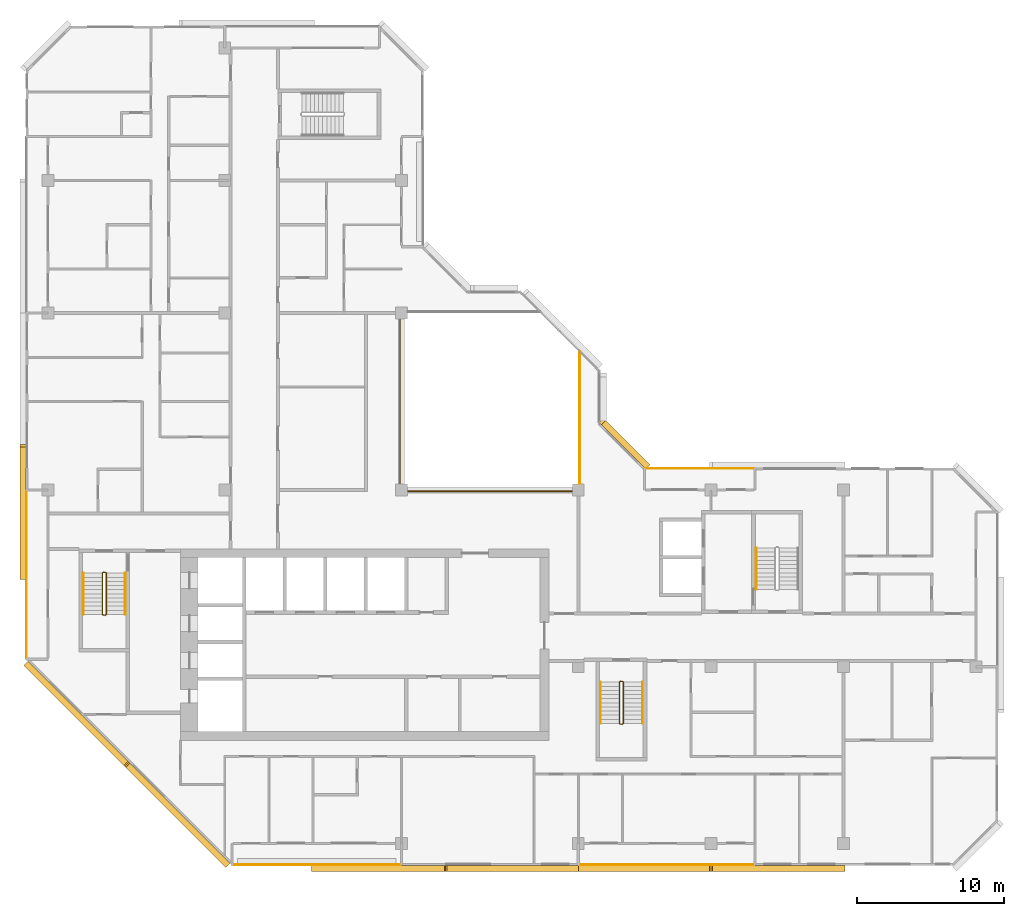
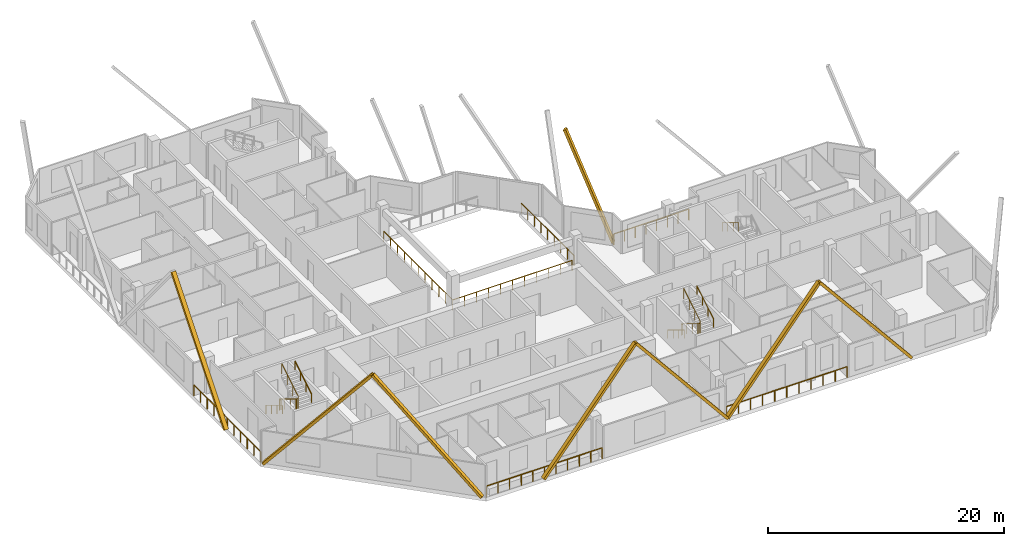
# One storey, part 12 of 13: 13 railings, 8 coverings.
"""IFC4 building model written with IfcOpenShell, lengths in metres."""

from ifc_helpers import new_model, si_unit, direction, frame, origin, origin_2d, place, context, subcontext, project, spatial, rectangle, extrude, material, material_profile, profile_set, type_object, element, save


model = new_model("IFC4")

# Units and contexts
model_context = context("Model", 3, precision=1e-05, world=origin(), true_north=direction((0.0, 1.0)))
body_context = subcontext(model_context, "Body", "Model", "MODEL_VIEW")
ifc_project = project(units=[si_unit("LENGTHUNIT", "METRE"), si_unit("AREAUNIT", "SQUARE_METRE"), si_unit("VOLUMEUNIT", "CUBIC_METRE"), si_unit("PLANEANGLEUNIT", "RADIAN"), si_unit("MASSUNIT", "GRAM", prefix="KILO")], contexts=[model_context])

# Site, building, storey
site_placement = place(None, origin())
site = spatial("IfcSite", under=ifc_project, at=site_placement, CompositionType="ELEMENT")
building_placement = place(site_placement, origin())
building = spatial("IfcBuilding", under=site, at=building_placement, Name="Chenar Terraces", CompositionType="ELEMENT")
storey_placement = place(building_placement, frame((0.0, 0.0, 310.89990234375)))
storey = spatial("IfcBuildingStorey", under=building, at=storey_placement, Name="L73", CompositionType="ELEMENT", Elevation=310.89990234375)

# Railings
ifc_material_1 = material(Name="Powder-coated steel", Category="steel")
railing_type_1 = type_object("IfcRailingType", Name="Guard 1100 steel rail with glass infill", PredefinedType="GUARDRAIL", material=ifc_material_1)
railing_1_placement = place(storey_placement, frame((23.89990234375, 35.60009765625, 0.0)))
element("IfcRailing", 1, at=railing_1_placement, inside=storey, type_object=railing_type_1, Name="Guard L73-1", PredefinedType="GUARDRAIL", context=body_context, shape_type="SweptSolid", body=[
    extrude(rectangle(XDim=0.06005859375, YDim=0.06005859375, at=origin_2d()), frame((0.0, 0.0, 1.070068359375), z_axis=(0.0, -1.0, 0.0), x_axis=(1.0, 0.0, 0.0)), (0.0, 0.0, 1.0), 11.7001953125),
    extrude(rectangle(XDim=0.06005859375, YDim=0.06005859375, at=origin_2d()), frame((0.0, -11.7001953125, 1.070068359375), z_axis=(1.0, 0.0, 0.0), x_axis=(0.0, 1.0, 0.0)), (0.0, 0.0, 1.0), 11.7001953125),
    extrude(rectangle(XDim=0.050048828125, YDim=0.050048828125, at=origin_2d()), origin(), (0.0, 0.0, 1.0), 1.0400390625),
    extrude(rectangle(XDim=0.050048828125, YDim=0.050048828125, at=origin_2d()), frame((0.0, -1.169921875, 0.0)), (0.0, 0.0, 1.0), 1.0400390625),
    extrude(rectangle(XDim=0.050048828125, YDim=0.050048828125, at=origin_2d()), frame((0.0, -2.340087890625, 0.0)), (0.0, 0.0, 1.0), 1.0400390625),
    extrude(rectangle(XDim=0.050048828125, YDim=0.050048828125, at=origin_2d()), frame((0.0, -3.510009765625, 0.0)), (0.0, 0.0, 1.0), 1.0400390625),
    extrude(rectangle(XDim=0.050048828125, YDim=0.050048828125, at=origin_2d()), frame((0.0, -4.68017578125, 0.0)), (0.0, 0.0, 1.0), 1.0400390625),
    extrude(rectangle(XDim=0.050048828125, YDim=0.050048828125, at=origin_2d()), frame((0.0, -5.85009765625, 0.0)), (0.0, 0.0, 1.0), 1.0400390625),
    extrude(rectangle(XDim=0.050048828125, YDim=0.050048828125, at=origin_2d()), frame((0.0, -7.02001953125, 0.0)), (0.0, 0.0, 1.0), 1.0400390625),
    extrude(rectangle(XDim=0.050048828125, YDim=0.050048828125, at=origin_2d()), frame((0.0, -8.190185546875, 0.0)), (0.0, 0.0, 1.0), 1.0400390625),
    extrude(rectangle(XDim=0.050048828125, YDim=0.050048828125, at=origin_2d()), frame((0.0, -9.360107421875, 0.0)), (0.0, 0.0, 1.0), 1.0400390625),
    extrude(rectangle(XDim=0.050048828125, YDim=0.050048828125, at=origin_2d()), frame((0.0, -10.5302734375, 0.0)), (0.0, 0.0, 1.0), 1.0400390625),
    extrude(rectangle(XDim=0.050048828125, YDim=0.050048828125, at=origin_2d()), frame((0.0, -11.7001953125, 0.0)), (0.0, 0.0, 1.0), 1.0400390625),
    extrude(rectangle(XDim=0.050048828125, YDim=0.050048828125, at=origin_2d()), frame((1.169921875, -11.7001953125, 0.0)), (0.0, 0.0, 1.0), 1.0400390625),
    extrude(rectangle(XDim=0.050048828125, YDim=0.050048828125, at=origin_2d()), frame((2.340087890625, -11.7001953125, 0.0)), (0.0, 0.0, 1.0), 1.0400390625),
    extrude(rectangle(XDim=0.050048828125, YDim=0.050048828125, at=origin_2d()), frame((3.510009765625, -11.7001953125, 0.0)), (0.0, 0.0, 1.0), 1.0400390625),
    extrude(rectangle(XDim=0.050048828125, YDim=0.050048828125, at=origin_2d()), frame((4.68017578125, -11.7001953125, 0.0)), (0.0, 0.0, 1.0), 1.0400390625),
    extrude(rectangle(XDim=0.050048828125, YDim=0.050048828125, at=origin_2d()), frame((5.85009765625, -11.7001953125, 0.0)), (0.0, 0.0, 1.0), 1.0400390625),
    extrude(rectangle(XDim=0.050048828125, YDim=0.050048828125, at=origin_2d()), frame((7.02001953125, -11.7001953125, 0.0)), (0.0, 0.0, 1.0), 1.0400390625),
    extrude(rectangle(XDim=0.050048828125, YDim=0.050048828125, at=origin_2d()), frame((8.190185546875, -11.7001953125, 0.0)), (0.0, 0.0, 1.0), 1.0400390625),
    extrude(rectangle(XDim=0.050048828125, YDim=0.050048828125, at=origin_2d()), frame((9.360107421875, -11.7001953125, 0.0)), (0.0, 0.0, 1.0), 1.0400390625),
    extrude(rectangle(XDim=0.050048828125, YDim=0.050048828125, at=origin_2d()), frame((10.5302734375, -11.7001953125, 0.0)), (0.0, 0.0, 1.0), 1.0400390625),
    extrude(rectangle(XDim=0.050048828125, YDim=0.050048828125, at=origin_2d()), frame((11.7001953125, -11.7001953125, 0.0)), (0.0, 0.0, 1.0), 1.0400390625),
])
railing_2_placement = place(storey_placement, frame((36.10009765625, 24.449951171875, 0.0)))
element("IfcRailing", 2, at=railing_2_placement, inside=storey, type_object=railing_type_1, Name="Guard L73-3", PredefinedType="GUARDRAIL", context=body_context, shape_type="SweptSolid", body=[
    extrude(rectangle(XDim=0.06005859375, YDim=0.06005859375, at=origin_2d()), frame((0.0, 0.0, 1.070068359375), z_axis=(0.0, 1.0, 0.0), x_axis=(-1.0, 0.0, 0.0)), (0.0, 0.0, 1.0), 8.949951171875),
    extrude(rectangle(XDim=0.050048828125, YDim=0.050048828125, at=origin_2d()), origin(), (0.0, 0.0, 1.0), 1.0400390625),
    extrude(rectangle(XDim=0.050048828125, YDim=0.050048828125, at=origin_2d()), frame((0.0, 1.11865234375, 0.0)), (0.0, 0.0, 1.0), 1.0400390625),
    extrude(rectangle(XDim=0.050048828125, YDim=0.050048828125, at=origin_2d()), frame((0.0, 2.237548828125, 0.0)), (0.0, 0.0, 1.0), 1.0400390625),
    extrude(rectangle(XDim=0.050048828125, YDim=0.050048828125, at=origin_2d()), frame((0.0, 3.356201171875, 0.0)), (0.0, 0.0, 1.0), 1.0400390625),
    extrude(rectangle(XDim=0.050048828125, YDim=0.050048828125, at=origin_2d()), frame((0.0, 4.47509765625, 0.0)), (0.0, 0.0, 1.0), 1.0400390625),
    extrude(rectangle(XDim=0.050048828125, YDim=0.050048828125, at=origin_2d()), frame((0.0, 5.59375, 0.0)), (0.0, 0.0, 1.0), 1.0400390625),
    extrude(rectangle(XDim=0.050048828125, YDim=0.050048828125, at=origin_2d()), frame((0.0, 6.71240234375, 0.0)), (0.0, 0.0, 1.0), 1.0400390625),
    extrude(rectangle(XDim=0.050048828125, YDim=0.050048828125, at=origin_2d()), frame((0.0, 7.831298828125, 0.0)), (0.0, 0.0, 1.0), 1.0400390625),
    extrude(rectangle(XDim=0.050048828125, YDim=0.050048828125, at=origin_2d()), frame((0.0, 8.949951171875, 0.0)), (0.0, 0.0, 1.0), 1.0400390625),
])
ifc_material_2 = material(Name="Stainless steel and glass", Category="steel")
railing_type_2 = type_object("IfcRailingType", Name="Loggia guard 1150", PredefinedType="GUARDRAIL", material=ifc_material_2)
railing_3_placement = place(storey_placement, frame((47.925048828125, 25.449951171875, 0.0)))
element("IfcRailing", 3, at=railing_3_placement, inside=storey, type_object=railing_type_2, Name="Loggia guard", PredefinedType="GUARDRAIL", context=body_context, shape_type="SweptSolid", body=[
    extrude(rectangle(XDim=0.048095703125, YDim=0.048095703125, at=origin_2d()), frame((0.0, 0.0, 1.1259765625), z_axis=(-1.0, 0.0, 0.0), x_axis=(0.0, -1.0, 0.0)), (0.0, 0.0, 1.0), 7.35009765625),
    extrude(rectangle(XDim=0.0419921875, YDim=0.0419921875, at=origin_2d()), origin(), (0.0, 0.0, 1.0), 1.101806640625),
    extrude(rectangle(XDim=0.0419921875, YDim=0.0419921875, at=origin_2d()), frame((-1.050048828125, 0.0, 0.0)), (0.0, 0.0, 1.0), 1.101806640625),
    extrude(rectangle(XDim=0.0419921875, YDim=0.0419921875, at=origin_2d()), frame((-2.10009765625, 0.0, 0.0)), (0.0, 0.0, 1.0), 1.101806640625),
    extrude(rectangle(XDim=0.0419921875, YDim=0.0419921875, at=origin_2d()), frame((-3.150146484375, 0.0, 0.0)), (0.0, 0.0, 1.0), 1.101806640625),
    extrude(rectangle(XDim=0.0419921875, YDim=0.0419921875, at=origin_2d()), frame((-4.199951171875, 0.0, 0.0)), (0.0, 0.0, 1.0), 1.101806640625),
    extrude(rectangle(XDim=0.0419921875, YDim=0.0419921875, at=origin_2d()), frame((-5.25, 0.0, 0.0)), (0.0, 0.0, 1.0), 1.101806640625),
    extrude(rectangle(XDim=0.0419921875, YDim=0.0419921875, at=origin_2d()), frame((-6.300048828125, 0.0, 0.0)), (0.0, 0.0, 1.0), 1.101806640625),
    extrude(rectangle(XDim=0.0419921875, YDim=0.0419921875, at=origin_2d()), frame((-7.35009765625, 0.0, 0.0)), (0.0, 0.0, 1.0), 1.101806640625),
])
railing_4_placement = place(storey_placement, frame((12.574951171875, -1.449951171875, 0.0)))
element("IfcRailing", 4, at=railing_4_placement, inside=storey, type_object=railing_type_2, Name="Loggia guard", PredefinedType="GUARDRAIL", context=body_context, shape_type="SweptSolid", body=[
    extrude(rectangle(XDim=0.048095703125, YDim=0.048095703125, at=origin_2d()), frame((0.0, 0.0, 1.1259765625), z_axis=(1.0, 0.0, 0.0), x_axis=(0.0, 1.0, 0.0)), (0.0, 0.0, 1.0), 11.35009765625),
    extrude(rectangle(XDim=0.0419921875, YDim=0.0419921875, at=origin_2d()), origin(), (0.0, 0.0, 1.0), 1.101806640625),
    extrude(rectangle(XDim=0.0419921875, YDim=0.0419921875, at=origin_2d()), frame((1.135009765625, 0.0, 0.0)), (0.0, 0.0, 1.0), 1.101806640625),
    extrude(rectangle(XDim=0.0419921875, YDim=0.0419921875, at=origin_2d()), frame((2.27001953125, 0.0, 0.0)), (0.0, 0.0, 1.0), 1.101806640625),
    extrude(rectangle(XDim=0.0419921875, YDim=0.0419921875, at=origin_2d()), frame((3.405029296875, 0.0, 0.0)), (0.0, 0.0, 1.0), 1.101806640625),
    extrude(rectangle(XDim=0.0419921875, YDim=0.0419921875, at=origin_2d()), frame((4.5400390625, 0.0, 0.0)), (0.0, 0.0, 1.0), 1.101806640625),
    extrude(rectangle(XDim=0.0419921875, YDim=0.0419921875, at=origin_2d()), frame((5.675048828125, 0.0, 0.0)), (0.0, 0.0, 1.0), 1.101806640625),
    extrude(rectangle(XDim=0.0419921875, YDim=0.0419921875, at=origin_2d()), frame((6.81005859375, 0.0, 0.0)), (0.0, 0.0, 1.0), 1.101806640625),
    extrude(rectangle(XDim=0.0419921875, YDim=0.0419921875, at=origin_2d()), frame((7.945068359375, 0.0, 0.0)), (0.0, 0.0, 1.0), 1.101806640625),
    extrude(rectangle(XDim=0.0419921875, YDim=0.0419921875, at=origin_2d()), frame((9.080078125, 0.0, 0.0)), (0.0, 0.0, 1.0), 1.101806640625),
    extrude(rectangle(XDim=0.0419921875, YDim=0.0419921875, at=origin_2d()), frame((10.215087890625, 0.0, 0.0)), (0.0, 0.0, 1.0), 1.101806640625),
    extrude(rectangle(XDim=0.0419921875, YDim=0.0419921875, at=origin_2d()), frame((11.35009765625, 0.0, 0.0)), (0.0, 0.0, 1.0), 1.101806640625),
])
railing_5_placement = place(storey_placement, frame((36.074951171875, -1.449951171875, 0.0)))
element("IfcRailing", 5, at=railing_5_placement, inside=storey, type_object=railing_type_2, Name="Loggia guard", PredefinedType="GUARDRAIL", context=body_context, shape_type="SweptSolid", body=[
    extrude(rectangle(XDim=0.048095703125, YDim=0.048095703125, at=origin_2d()), frame((0.0, 0.0, 1.1259765625), z_axis=(1.0, 0.0, 0.0), x_axis=(0.0, 1.0, 0.0)), (0.0, 0.0, 1.0), 11.85009765625),
    extrude(rectangle(XDim=0.0419921875, YDim=0.0419921875, at=origin_2d()), origin(), (0.0, 0.0, 1.0), 1.101806640625),
    extrude(rectangle(XDim=0.0419921875, YDim=0.0419921875, at=origin_2d()), frame((1.18505859375, 0.0, 0.0)), (0.0, 0.0, 1.0), 1.101806640625),
    extrude(rectangle(XDim=0.0419921875, YDim=0.0419921875, at=origin_2d()), frame((2.3701171875, 0.0, 0.0)), (0.0, 0.0, 1.0), 1.101806640625),
    extrude(rectangle(XDim=0.0419921875, YDim=0.0419921875, at=origin_2d()), frame((3.554931640625, 0.0, 0.0)), (0.0, 0.0, 1.0), 1.101806640625),
    extrude(rectangle(XDim=0.0419921875, YDim=0.0419921875, at=origin_2d()), frame((4.739990234375, 0.0, 0.0)), (0.0, 0.0, 1.0), 1.101806640625),
    extrude(rectangle(XDim=0.0419921875, YDim=0.0419921875, at=origin_2d()), frame((5.925048828125, 0.0, 0.0)), (0.0, 0.0, 1.0), 1.101806640625),
    extrude(rectangle(XDim=0.0419921875, YDim=0.0419921875, at=origin_2d()), frame((7.110107421875, 0.0, 0.0)), (0.0, 0.0, 1.0), 1.101806640625),
    extrude(rectangle(XDim=0.0419921875, YDim=0.0419921875, at=origin_2d()), frame((8.295166015625, 0.0, 0.0)), (0.0, 0.0, 1.0), 1.101806640625),
    extrude(rectangle(XDim=0.0419921875, YDim=0.0419921875, at=origin_2d()), frame((9.47998046875, 0.0, 0.0)), (0.0, 0.0, 1.0), 1.101806640625),
    extrude(rectangle(XDim=0.0419921875, YDim=0.0419921875, at=origin_2d()), frame((10.6650390625, 0.0, 0.0)), (0.0, 0.0, 1.0), 1.101806640625),
    extrude(rectangle(XDim=0.0419921875, YDim=0.0419921875, at=origin_2d()), frame((11.85009765625, 0.0, 0.0)), (0.0, 0.0, 1.0), 1.101806640625),
])
railing_6_placement = place(storey_placement, frame((-1.449951171875, 23.925048828125, 0.0)))
element("IfcRailing", 6, at=railing_6_placement, inside=storey, type_object=railing_type_2, Name="Loggia guard", PredefinedType="GUARDRAIL", context=body_context, shape_type="SweptSolid", body=[
    extrude(rectangle(XDim=0.048095703125, YDim=0.048095703125, at=origin_2d()), frame((0.0, 0.0, 1.1259765625), z_axis=(0.0, -1.0, 0.0), x_axis=(1.0, 0.0, 0.0)), (0.0, 0.0, 1.0), 11.35009765625),
    extrude(rectangle(XDim=0.0419921875, YDim=0.0419921875, at=origin_2d()), origin(), (0.0, 0.0, 1.0), 1.101806640625),
    extrude(rectangle(XDim=0.0419921875, YDim=0.0419921875, at=origin_2d()), frame((0.0, -1.135009765625, 0.0)), (0.0, 0.0, 1.0), 1.101806640625),
    extrude(rectangle(XDim=0.0419921875, YDim=0.0419921875, at=origin_2d()), frame((0.0, -2.27001953125, 0.0)), (0.0, 0.0, 1.0), 1.101806640625),
    extrude(rectangle(XDim=0.0419921875, YDim=0.0419921875, at=origin_2d()), frame((0.0, -3.405029296875, 0.0)), (0.0, 0.0, 1.0), 1.101806640625),
    extrude(rectangle(XDim=0.0419921875, YDim=0.0419921875, at=origin_2d()), frame((0.0, -4.5400390625, 0.0)), (0.0, 0.0, 1.0), 1.101806640625),
    extrude(rectangle(XDim=0.0419921875, YDim=0.0419921875, at=origin_2d()), frame((0.0, -5.675048828125, 0.0)), (0.0, 0.0, 1.0), 1.101806640625),
    extrude(rectangle(XDim=0.0419921875, YDim=0.0419921875, at=origin_2d()), frame((0.0, -6.81005859375, 0.0)), (0.0, 0.0, 1.0), 1.101806640625),
    extrude(rectangle(XDim=0.0419921875, YDim=0.0419921875, at=origin_2d()), frame((0.0, -7.945068359375, 0.0)), (0.0, 0.0, 1.0), 1.101806640625),
    extrude(rectangle(XDim=0.0419921875, YDim=0.0419921875, at=origin_2d()), frame((0.0, -9.080078125, 0.0)), (0.0, 0.0, 1.0), 1.101806640625),
    extrude(rectangle(XDim=0.0419921875, YDim=0.0419921875, at=origin_2d()), frame((0.0, -10.215087890625, 0.0)), (0.0, 0.0, 1.0), 1.101806640625),
    extrude(rectangle(XDim=0.0419921875, YDim=0.0419921875, at=origin_2d()), frame((0.0, -11.35009765625, 0.0)), (0.0, 0.0, 1.0), 1.101806640625),
])
ifc_material_3 = material(Name="Powder-coated steel", Category="steel")
railing_type_3 = type_object("IfcRailingType", Name="Stair guard 1100", PredefinedType="GUARDRAIL", material=ifc_material_3)
railing_7_placement = place(storey_placement, frame((3.949951171875, 18.35009765625, 3.75)))
element("IfcRailing", 7, at=railing_7_placement, inside=storey, type_object=railing_type_3, Name="L73 ST1 stair guard 1", PredefinedType="GUARDRAIL", context=body_context, shape_type="SweptSolid", body=[
    extrude(rectangle(XDim=0.048095703125, YDim=0.048095703125, at=origin_2d()), frame((0.0, 0.0, 1.076171875), z_axis=(0.0, -0.854202870247, -0.519939858505), x_axis=(1.0, 0.0, 0.0)), (0.0, 0.0, 1.0), 3.278076171875),
    extrude(rectangle(XDim=0.048095703125, YDim=0.048095703125, at=origin_2d()), frame((0.0, -2.800048828125, -0.62841796875), z_axis=(-0.270899902878, -0.270899902878, -0.923702595667), x_axis=(0.707106781187, -0.707106781187, 0.0)), (0.0, 0.0, 1.0), 0.184814453125),
    extrude(rectangle(XDim=0.048095703125, YDim=0.048095703125, at=origin_2d()), frame((-0.050048828125, -2.85009765625, -0.798828125), z_axis=(-1.0, 0.0, 0.0), x_axis=(0.0, -1.0, 0.0)), (0.0, 0.0, 1.0), 0.14990234375),
    extrude(rectangle(XDim=0.048095703125, YDim=0.048095703125, at=origin_2d()), frame((-0.199951171875, -2.85009765625, -0.798828125), z_axis=(-0.707106781187, 0.707106781187, 0.0), x_axis=(-0.707106781187, -0.707106781187, 0.0)), (0.0, 0.0, 1.0), 0.07080078125),
    extrude(rectangle(XDim=0.048095703125, YDim=0.048095703125, at=origin_2d()), frame((-0.25, -2.800048828125, -0.798828125), z_axis=(0.0, 0.854202870247, -0.519939858505), x_axis=(-1.0, 0.0, 0.0)), (0.0, 0.0, 1.0), 3.278076171875),
    extrude(rectangle(XDim=0.048095703125, YDim=0.048095703125, at=origin_2d()), frame((-0.25, 0.0, -2.50341796875), z_axis=(0.270996696079, 0.269674760976, -0.924032636873), x_axis=(-0.705375805398, 0.708833529934, 0.0)), (0.0, 0.0, 1.0), 0.1845703125),
    extrude(rectangle(XDim=0.048095703125, YDim=0.048095703125, at=origin_2d()), frame((-0.199951171875, 0.0498046875, -2.673828125), z_axis=(1.0, 0.0, 0.0), x_axis=(0.0, 1.0, 0.0)), (0.0, 0.0, 1.0), 0.14990234375),
    extrude(rectangle(XDim=0.0419921875, YDim=0.0419921875, at=origin_2d()), origin(), (0.0, 0.0, 1.0), 1.052001953125),
    extrude(rectangle(XDim=0.0419921875, YDim=0.0419921875, at=origin_2d()), frame((0.0, -0.933349609375, -0.568115234375)), (0.0, 0.0, 1.0), 1.052001953125),
    extrude(rectangle(XDim=0.0419921875, YDim=0.0419921875, at=origin_2d()), frame((0.0, -1.86669921875, -1.13623046875)), (0.0, 0.0, 1.0), 1.052001953125),
    extrude(rectangle(XDim=0.0419921875, YDim=0.0419921875, at=origin_2d()), frame((0.0, -2.800048828125, -1.704345703125)), (0.0, 0.0, 1.0), 1.052001953125),
    extrude(rectangle(XDim=0.0419921875, YDim=0.0419921875, at=origin_2d()), frame((-0.050048828125, -2.85009765625, -1.875)), (0.0, 0.0, 1.0), 1.052001953125),
    extrude(rectangle(XDim=0.0419921875, YDim=0.0419921875, at=origin_2d()), frame((-0.199951171875, -2.85009765625, -1.875)), (0.0, 0.0, 1.0), 1.052001953125),
    extrude(rectangle(XDim=0.0419921875, YDim=0.0419921875, at=origin_2d()), frame((-0.25, -2.800048828125, -1.875)), (0.0, 0.0, 1.0), 1.052001953125),
    extrude(rectangle(XDim=0.0419921875, YDim=0.0419921875, at=origin_2d()), frame((-0.25, -1.86669921875, -2.443115234375)), (0.0, 0.0, 1.0), 1.052001953125),
    extrude(rectangle(XDim=0.0419921875, YDim=0.0419921875, at=origin_2d()), frame((-0.25, -0.933349609375, -3.01123046875)), (0.0, 0.0, 1.0), 1.052001953125),
    extrude(rectangle(XDim=0.0419921875, YDim=0.0419921875, at=origin_2d()), frame((-0.25, 0.0, -3.579345703125)), (0.0, 0.0, 1.0), 1.052001953125),
    extrude(rectangle(XDim=0.0419921875, YDim=0.0419921875, at=origin_2d()), frame((-0.199951171875, 0.0498046875, -3.75)), (0.0, 0.0, 1.0), 1.052001953125),
    extrude(rectangle(XDim=0.0419921875, YDim=0.0419921875, at=origin_2d()), frame((-0.050048828125, 0.0498046875, -3.75)), (0.0, 0.0, 1.0), 1.052001953125),
])
railing_8_placement = place(storey_placement, frame((39.050048828125, 10.949951171875, 3.75)))
element("IfcRailing", 8, at=railing_8_placement, inside=storey, type_object=railing_type_3, Name="L73 ST2 stair guard 1", PredefinedType="GUARDRAIL", context=body_context, shape_type="SweptSolid", body=[
    extrude(rectangle(XDim=0.048095703125, YDim=0.048095703125, at=origin_2d()), frame((0.0, 0.0, 1.076171875), z_axis=(0.0, -0.854202870247, -0.519939858505), x_axis=(1.0, 0.0, 0.0)), (0.0, 0.0, 1.0), 3.278076171875),
    extrude(rectangle(XDim=0.048095703125, YDim=0.048095703125, at=origin_2d()), frame((0.0, -2.800048828125, -0.62841796875), z_axis=(-0.270996696079, -0.269674760976, -0.924032636873), x_axis=(0.705375805398, -0.708833529934, 0.0)), (0.0, 0.0, 1.0), 0.1845703125),
    extrude(rectangle(XDim=0.048095703125, YDim=0.048095703125, at=origin_2d()), frame((-0.050048828125, -2.849853515625, -0.798828125), z_axis=(-1.0, 0.0, 0.0), x_axis=(0.0, -1.0, 0.0)), (0.0, 0.0, 1.0), 0.14990234375),
    extrude(rectangle(XDim=0.048095703125, YDim=0.048095703125, at=origin_2d()), frame((-0.199951171875, -2.849853515625, -0.798828125), z_axis=(-0.708833529934, 0.705375805398, 0.0), x_axis=(-0.705375805398, -0.708833529934, 0.0)), (0.0, 0.0, 1.0), 0.070556640625),
    extrude(rectangle(XDim=0.048095703125, YDim=0.048095703125, at=origin_2d()), frame((-0.25, -2.800048828125, -0.798828125), z_axis=(0.0, 0.854202870247, -0.519939858505), x_axis=(-1.0, 0.0, 0.0)), (0.0, 0.0, 1.0), 3.278076171875),
    extrude(rectangle(XDim=0.048095703125, YDim=0.048095703125, at=origin_2d()), frame((-0.25, 0.0, -2.50341796875), z_axis=(0.270899902878, 0.270899902878, -0.923702595667), x_axis=(-0.707106781187, 0.707106781187, 0.0)), (0.0, 0.0, 1.0), 0.184814453125),
    extrude(rectangle(XDim=0.048095703125, YDim=0.048095703125, at=origin_2d()), frame((-0.199951171875, 0.050048828125, -2.673828125), z_axis=(1.0, 0.0, 0.0), x_axis=(0.0, 1.0, 0.0)), (0.0, 0.0, 1.0), 0.14990234375),
    extrude(rectangle(XDim=0.0419921875, YDim=0.0419921875, at=origin_2d()), origin(), (0.0, 0.0, 1.0), 1.052001953125),
    extrude(rectangle(XDim=0.0419921875, YDim=0.0419921875, at=origin_2d()), frame((0.0, -0.933349609375, -0.568115234375)), (0.0, 0.0, 1.0), 1.052001953125),
    extrude(rectangle(XDim=0.0419921875, YDim=0.0419921875, at=origin_2d()), frame((0.0, -1.86669921875, -1.13623046875)), (0.0, 0.0, 1.0), 1.052001953125),
    extrude(rectangle(XDim=0.0419921875, YDim=0.0419921875, at=origin_2d()), frame((0.0, -2.800048828125, -1.704345703125)), (0.0, 0.0, 1.0), 1.052001953125),
    extrude(rectangle(XDim=0.0419921875, YDim=0.0419921875, at=origin_2d()), frame((-0.050048828125, -2.849853515625, -1.875)), (0.0, 0.0, 1.0), 1.052001953125),
    extrude(rectangle(XDim=0.0419921875, YDim=0.0419921875, at=origin_2d()), frame((-0.199951171875, -2.849853515625, -1.875)), (0.0, 0.0, 1.0), 1.052001953125),
    extrude(rectangle(XDim=0.0419921875, YDim=0.0419921875, at=origin_2d()), frame((-0.25, -2.800048828125, -1.875)), (0.0, 0.0, 1.0), 1.052001953125),
    extrude(rectangle(XDim=0.0419921875, YDim=0.0419921875, at=origin_2d()), frame((-0.25, -1.86669921875, -2.443115234375)), (0.0, 0.0, 1.0), 1.052001953125),
    extrude(rectangle(XDim=0.0419921875, YDim=0.0419921875, at=origin_2d()), frame((-0.25, -0.933349609375, -3.01123046875)), (0.0, 0.0, 1.0), 1.052001953125),
    extrude(rectangle(XDim=0.0419921875, YDim=0.0419921875, at=origin_2d()), frame((-0.25, 0.0, -3.579345703125)), (0.0, 0.0, 1.0), 1.052001953125),
    extrude(rectangle(XDim=0.0419921875, YDim=0.0419921875, at=origin_2d()), frame((-0.199951171875, 0.050048828125, -3.75)), (0.0, 0.0, 1.0), 1.052001953125),
    extrude(rectangle(XDim=0.0419921875, YDim=0.0419921875, at=origin_2d()), frame((-0.050048828125, 0.050048828125, -3.75)), (0.0, 0.0, 1.0), 1.052001953125),
])
ifc_material_4 = material(Name="Powder-coated steel", Category="steel")
railing_type_4 = type_object("IfcRailingType", Name="Stair handrail 900", PredefinedType="HANDRAIL", material=ifc_material_4)
railing_9_placement = place(storey_placement, frame((2.39990234375, 18.35009765625, 0.170654296875)))
element("IfcRailing", 9, at=railing_9_placement, inside=storey, type_object=railing_type_4, Name="L73 ST1 stair handrail 1", PredefinedType="HANDRAIL", context=body_context, shape_type="SweptSolid", body=[
    extrude(rectangle(XDim=0.048095703125, YDim=0.048095703125, at=origin_2d()), frame((0.0, 0.0, 0.8759765625), z_axis=(0.0, -0.854202870247, 0.519939858505), x_axis=(1.0, 0.0, 0.0)), (0.0, 0.0, 1.0), 3.278076171875),
    extrude(rectangle(XDim=0.0419921875, YDim=0.0419921875, at=origin_2d()), origin(), (0.0, 0.0, 1.0), 0.851806640625),
    extrude(rectangle(XDim=0.0419921875, YDim=0.0419921875, at=origin_2d()), frame((0.0, -0.933349609375, 0.568115234375)), (0.0, 0.0, 1.0), 0.851806640625),
    extrude(rectangle(XDim=0.0419921875, YDim=0.0419921875, at=origin_2d()), frame((0.0, -1.86669921875, 1.13623046875)), (0.0, 0.0, 1.0), 0.851806640625),
    extrude(rectangle(XDim=0.0419921875, YDim=0.0419921875, at=origin_2d()), frame((0.0, -2.800048828125, 1.704345703125)), (0.0, 0.0, 1.0), 0.851806640625),
])
railing_10_placement = place(storey_placement, frame((5.25, 15.550048828125, 2.045654296875)))
element("IfcRailing", 10, at=railing_10_placement, inside=storey, type_object=railing_type_4, Name="L73 ST1 stair handrail 2", PredefinedType="HANDRAIL", context=body_context, shape_type="SweptSolid", body=[
    extrude(rectangle(XDim=0.048095703125, YDim=0.048095703125, at=origin_2d()), frame((0.0, 0.0, 0.8759765625), z_axis=(0.0, 0.854202870247, 0.519939858505), x_axis=(-1.0, 0.0, 0.0)), (0.0, 0.0, 1.0), 3.278076171875),
    extrude(rectangle(XDim=0.0419921875, YDim=0.0419921875, at=origin_2d()), origin(), (0.0, 0.0, 1.0), 0.851806640625),
    extrude(rectangle(XDim=0.0419921875, YDim=0.0419921875, at=origin_2d()), frame((0.0, 0.933349609375, 0.568115234375)), (0.0, 0.0, 1.0), 0.851806640625),
    extrude(rectangle(XDim=0.0419921875, YDim=0.0419921875, at=origin_2d()), frame((0.0, 1.86669921875, 1.13623046875)), (0.0, 0.0, 1.0), 0.851806640625),
    extrude(rectangle(XDim=0.0419921875, YDim=0.0419921875, at=origin_2d()), frame((0.0, 2.800048828125, 1.704345703125)), (0.0, 0.0, 1.0), 0.851806640625),
])
railing_11_placement = place(storey_placement, frame((37.5, 10.949951171875, 0.170654296875)))
element("IfcRailing", 11, at=railing_11_placement, inside=storey, type_object=railing_type_4, Name="L73 ST2 stair handrail 1", PredefinedType="HANDRAIL", context=body_context, shape_type="SweptSolid", body=[
    extrude(rectangle(XDim=0.048095703125, YDim=0.048095703125, at=origin_2d()), frame((0.0, 0.0, 0.8759765625), z_axis=(0.0, -0.854202870247, 0.519939858505), x_axis=(1.0, 0.0, 0.0)), (0.0, 0.0, 1.0), 3.278076171875),
    extrude(rectangle(XDim=0.0419921875, YDim=0.0419921875, at=origin_2d()), origin(), (0.0, 0.0, 1.0), 0.851806640625),
    extrude(rectangle(XDim=0.0419921875, YDim=0.0419921875, at=origin_2d()), frame((0.0, -0.933349609375, 0.568115234375)), (0.0, 0.0, 1.0), 0.851806640625),
    extrude(rectangle(XDim=0.0419921875, YDim=0.0419921875, at=origin_2d()), frame((0.0, -1.86669921875, 1.13623046875)), (0.0, 0.0, 1.0), 0.851806640625),
    extrude(rectangle(XDim=0.0419921875, YDim=0.0419921875, at=origin_2d()), frame((0.0, -2.800048828125, 1.704345703125)), (0.0, 0.0, 1.0), 0.851806640625),
])
railing_12_placement = place(storey_placement, frame((40.35009765625, 8.14990234375, 2.045654296875)))
element("IfcRailing", 12, at=railing_12_placement, inside=storey, type_object=railing_type_4, Name="L73 ST2 stair handrail 2", PredefinedType="HANDRAIL", context=body_context, shape_type="SweptSolid", body=[
    extrude(rectangle(XDim=0.048095703125, YDim=0.048095703125, at=origin_2d()), frame((0.0, 0.0, 0.8759765625), z_axis=(0.0, 0.854202870247, 0.519939858505), x_axis=(-1.0, 0.0, 0.0)), (0.0, 0.0, 1.0), 3.278076171875),
    extrude(rectangle(XDim=0.0419921875, YDim=0.0419921875, at=origin_2d()), origin(), (0.0, 0.0, 1.0), 0.851806640625),
    extrude(rectangle(XDim=0.0419921875, YDim=0.0419921875, at=origin_2d()), frame((0.0, 0.933349609375, 0.568115234375)), (0.0, 0.0, 1.0), 0.851806640625),
    extrude(rectangle(XDim=0.0419921875, YDim=0.0419921875, at=origin_2d()), frame((0.0, 1.86669921875, 1.13623046875)), (0.0, 0.0, 1.0), 0.851806640625),
    extrude(rectangle(XDim=0.0419921875, YDim=0.0419921875, at=origin_2d()), frame((0.0, 2.800048828125, 1.704345703125)), (0.0, 0.0, 1.0), 0.851806640625),
])
railing_13_placement = place(storey_placement, frame((48.074951171875, 20.050048828125, 2.045654296875)))
element("IfcRailing", 13, at=railing_13_placement, inside=storey, type_object=railing_type_4, Name="L73 ST3 stair handrail 2", PredefinedType="HANDRAIL", context=body_context, shape_type="SweptSolid", body=[
    extrude(rectangle(XDim=0.048095703125, YDim=0.048095703125, at=origin_2d()), frame((0.0, 0.0, 0.8759765625), z_axis=(0.0, -0.854202870247, 0.519939858505), x_axis=(1.0, 0.0, 0.0)), (0.0, 0.0, 1.0), 3.278076171875),
    extrude(rectangle(XDim=0.0419921875, YDim=0.0419921875, at=origin_2d()), origin(), (0.0, 0.0, 1.0), 0.851806640625),
    extrude(rectangle(XDim=0.0419921875, YDim=0.0419921875, at=origin_2d()), frame((0.0, -0.933349609375, 0.568115234375)), (0.0, 0.0, 1.0), 0.851806640625),
    extrude(rectangle(XDim=0.0419921875, YDim=0.0419921875, at=origin_2d()), frame((0.0, -1.86669921875, 1.13623046875)), (0.0, 0.0, 1.0), 0.851806640625),
    extrude(rectangle(XDim=0.0419921875, YDim=0.0419921875, at=origin_2d()), frame((0.0, -2.800048828125, 1.704345703125)), (0.0, 0.0, 1.0), 0.851806640625),
])

# Coverings
ifc_material_5 = material(Name="Terracotta", Category="masonry")
ifc_material_profile = material_profile(ifc_material_5, rectangle(XDim=0.39990234375, YDim=0.25, at=origin_2d()), Name="Terracotta baguette 400 x 250")
ifc_profile_set = profile_set([ifc_material_profile], Name="Terracotta")
covering_type = type_object("IfcCoveringType", Name="Terracotta baguette 400 x 250", PredefinedType="CLADDING", material=ifc_profile_set)
covering_1_placement = place(storey_placement, frame((40.641357421875, 25.641357421875, 0.150146484375), z_axis=(-0.255468212233, 0.255468212233, 0.932454816641), x_axis=(-0.707106781187, -0.707106781187, 0.0)))
element("IfcCovering", 14, at=covering_1_placement, inside=storey, type_object=covering_type, Name="Terracotta baguette", PredefinedType="CLADDING", context=body_context, shape_type="SweptSolid", body=[
    extrude(rectangle(XDim=0.39990234375, YDim=0.25, at=origin_2d()), origin(), (0.0, 0.0, 1.0), 11.7431640625),
])
covering_2_placement = place(storey_placement, frame((-1.699951171875, 27.0, 11.10009765625), z_axis=(0.0, -0.634966765532, -0.772539453148), x_axis=(1.0, 0.0, 0.0)))
element("IfcCovering", 15, at=covering_2_placement, inside=storey, type_object=covering_type, Name="Terracotta baguette", PredefinedType="CLADDING", context=body_context, shape_type="SweptSolid", body=[
    extrude(rectangle(XDim=0.39990234375, YDim=0.25, at=origin_2d()), origin(), (0.0, 0.0, 1.0), 14.174072265625),
])
for number, where, z_axis, x_axis, name in (
    (16, (-1.42919921875, 12.146484375, 0.150146484375), (0.466134798391, -0.466134798391, 0.751955250967), (0.707106781187, 0.707106781187, 0.0), "Terracotta baguette"),
    (17, (5.358642578125, 5.358642578125, 11.10009765625), (0.466134798391, -0.466134798391, -0.751955250967), (0.707106781187, 0.707106781187, 0.0), "Terracotta baguette"),
):
    element("IfcCovering", number, at=place(storey_placement, frame(where, z_axis=z_axis, x_axis=x_axis)), inside=storey, type_object=covering_type, Name=name, PredefinedType="CLADDING", context=body_context, shape_type="SweptSolid", body=[
        extrude(rectangle(XDim=0.39990234375, YDim=0.25, at=origin_2d()), origin(), (0.0, 0.0, 1.0), 14.56201171875),
    ])
for number, where, z_axis, x_axis, name in (
    (18, (18.0, -1.699951171875, 0.150146484375), (0.634966765532, 0.0, 0.772539453148), (0.0, 1.0, 0.0), "Terracotta baguette"),
    (19, (27.0, -1.699951171875, 11.10009765625), (0.634966765532, 0.0, -0.772539453148), (0.0, 1.0, 0.0), "Terracotta baguette"),
    (20, (36.0, -1.699951171875, 0.150146484375), (0.634966765532, 0.0, 0.772539453148), (0.0, 1.0, 0.0), "Terracotta baguette"),
    (21, (45.0, -1.699951171875, 11.10009765625), (0.634966765532, 0.0, -0.772539453148), (0.0, 1.0, 0.0), "Terracotta baguette"),
):
    element("IfcCovering", number, at=place(storey_placement, frame(where, z_axis=z_axis, x_axis=x_axis)), inside=storey, type_object=covering_type, Name=name, PredefinedType="CLADDING", context=body_context, shape_type="SweptSolid", body=[
        extrude(rectangle(XDim=0.39990234375, YDim=0.25, at=origin_2d()), origin(), (0.0, 0.0, 1.0), 14.174072265625),
    ])

save(model, "model.ifc")
